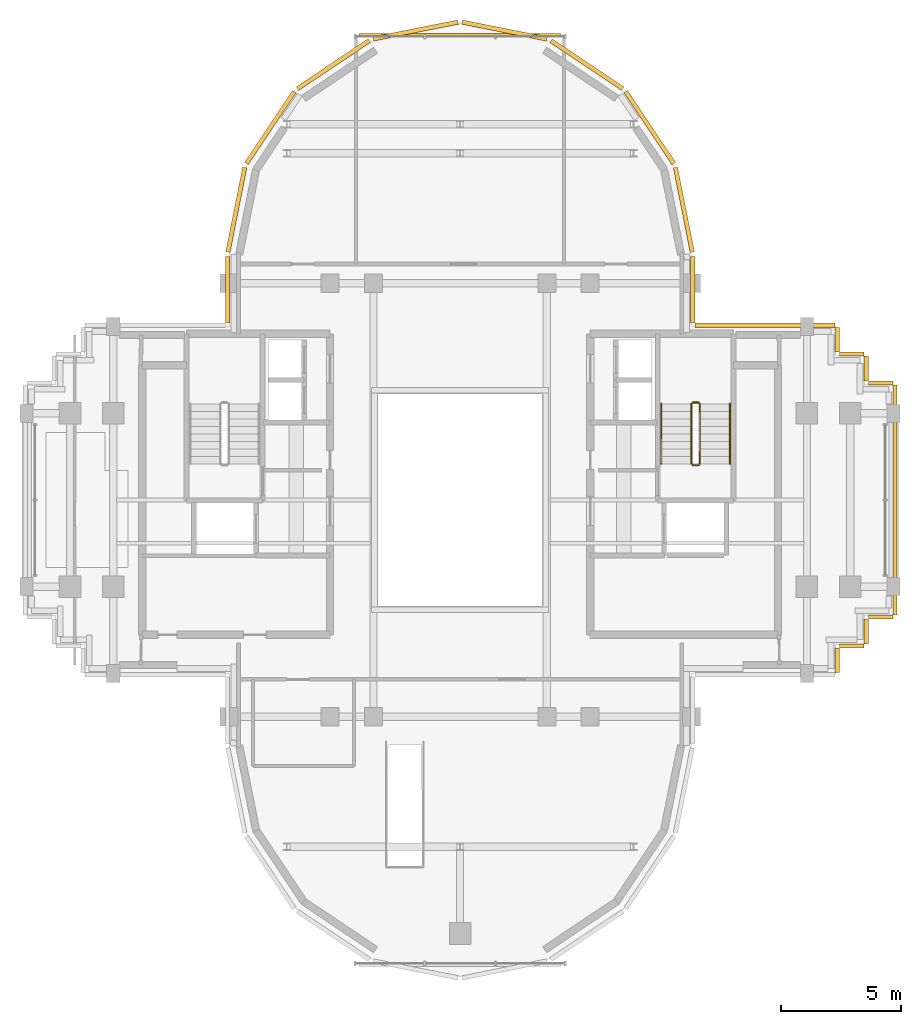
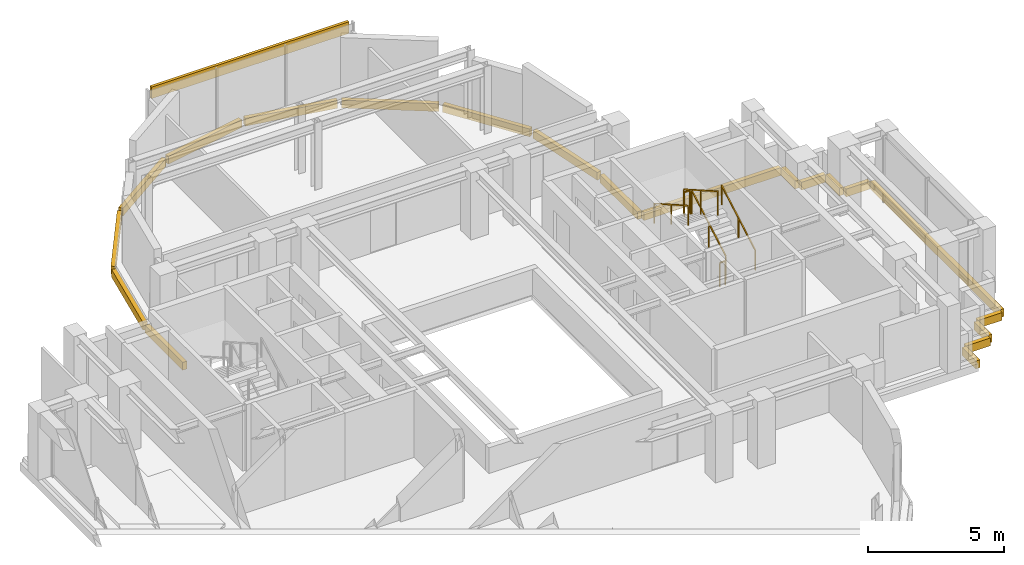
# One storey, part 12 of 12: 21 coverings, 6 railings.
"""IFC4 building model written with IfcOpenShell, lengths in metres."""

from ifc_helpers import new_model, si_unit, direction, frame, origin, origin_2d, place, context, subcontext, project, spatial, rectangle, extrude, source, transform, mapped, material, layer, layer_set, type_object, element, save


model = new_model("IFC4")

# Units and contexts
model_context = context("Model", 3, precision=1e-05, world=origin(), true_north=direction((0.0, 1.0)))
body_context = subcontext(model_context, "Body", "Model", "MODEL_VIEW")
ifc_project = project(units=[si_unit("LENGTHUNIT", "METRE"), si_unit("AREAUNIT", "SQUARE_METRE"), si_unit("VOLUMEUNIT", "CUBIC_METRE"), si_unit("PLANEANGLEUNIT", "RADIAN"), si_unit("MASSUNIT", "GRAM", prefix="KILO")], contexts=[model_context])

# Site, building, storey
site_placement = place(None, origin())
site = spatial("IfcSite", under=ifc_project, at=site_placement, CompositionType="ELEMENT")
building_placement = place(site_placement, origin())
building = spatial("IfcBuilding", under=site, at=building_placement, Name="Keilestroom Media Tower", CompositionType="ELEMENT")
storey_placement = place(building_placement, frame((0.0, 0.0, 242.800048828125)))
storey = spatial("IfcBuildingStorey", under=building, at=storey_placement, Name="L67", CompositionType="ELEMENT", Elevation=242.800048828125)

# Railings
ifc_material_1 = material(Name="Brushed Stainless Steel 1.4301", Category="steel")
railing_type_1 = type_object("IfcRailingType", Name="Stair-Pitch-Handrail-920", PredefinedType="HANDRAIL", material=ifc_material_1)
railing_1_placement = place(storey_placement, frame((11.2099609375, 1.5, 0.177734375)))
element("IfcRailing", 1, at=railing_1_placement, inside=storey, type_object=railing_type_1, Name="L67 ST-2 stair handrail 1", PredefinedType="HANDRAIL", context=body_context, shape_type="SweptSolid", body=[
    extrude(rectangle(XDim=0.048095703125, YDim=0.048095703125, at=origin_2d()), frame((0.0, 0.0, 0.8759765625), z_axis=(0.0, 0.868875238982, 0.495031129408), x_axis=(-1.0, 0.0, 0.0)), (0.0, 0.0, 1.0), 2.872802734375),
    extrude(rectangle(XDim=0.0419921875, YDim=0.0419921875, at=origin_2d()), origin(), (0.0, 0.0, 1.0), 0.84375),
    extrude(rectangle(XDim=0.0419921875, YDim=0.0419921875, at=origin_2d()), frame((0.0, 1.248046875, 0.7109375)), (0.0, 0.0, 1.0), 0.84375),
    extrude(rectangle(XDim=0.0419921875, YDim=0.0419921875, at=origin_2d()), frame((0.0, 2.49609375, 1.422119140625)), (0.0, 0.0, 1.0), 0.84375),
])
railing_2_placement = place(storey_placement, frame((8.35009765625, 3.99609375, 1.77783203125)))
element("IfcRailing", 2, at=railing_2_placement, inside=storey, type_object=railing_type_1, Name="L67 ST-2 stair handrail 2", PredefinedType="HANDRAIL", context=body_context, shape_type="SweptSolid", body=[
    extrude(rectangle(XDim=0.048095703125, YDim=0.048095703125, at=origin_2d()), frame((0.0, 0.0, 0.8759765625), z_axis=(0.0, -0.868875238982, 0.495031129408), x_axis=(1.0, 0.0, 0.0)), (0.0, 0.0, 1.0), 2.872802734375),
    extrude(rectangle(XDim=0.0419921875, YDim=0.0419921875, at=origin_2d()), origin(), (0.0, 0.0, 1.0), 0.84375),
    extrude(rectangle(XDim=0.0419921875, YDim=0.0419921875, at=origin_2d()), frame((0.0, -1.248046875, 0.7109375)), (0.0, 0.0, 1.0), 0.84375),
    extrude(rectangle(XDim=0.0419921875, YDim=0.0419921875, at=origin_2d()), frame((0.0, -2.49609375, 1.422119140625)), (0.0, 0.0, 1.0), 0.84375),
])
ifc_material_2 = material(Name="Painted Steel Balustrade", Category="steel")
railing_type_2 = type_object("IfcRailingType", Name="Stair-Well-And-Landing-Guard-1100", PredefinedType="GUARDRAIL", material=ifc_material_2)
railing_3_placement = place(storey_placement, frame((9.949951171875, 1.5, 0.177734375)))
element("IfcRailing", 3, at=railing_3_placement, inside=storey, type_object=railing_type_2, Name="L67 ST-2 stair guard 1", PredefinedType="GUARDRAIL", context=body_context, shape_type="SweptSolid", body=[
    extrude(rectangle(XDim=0.048095703125, YDim=0.048095703125, at=origin_2d()), frame((0.0, 0.0, 1.076171875), z_axis=(0.0, 0.868875238982, 0.495031129408), x_axis=(-1.0, 0.0, 0.0)), (0.0, 0.0, 1.0), 2.872802734375),
    extrude(rectangle(XDim=0.0419921875, YDim=0.0419921875, at=origin_2d()), origin(), (0.0, 0.0, 1.0), 1.0439453125),
    extrude(rectangle(XDim=0.0419921875, YDim=0.0419921875, at=origin_2d()), frame((0.0, 1.248046875, 0.7109375)), (0.0, 0.0, 1.0), 1.0439453125),
    extrude(rectangle(XDim=0.0419921875, YDim=0.0419921875, at=origin_2d()), frame((0.0, 2.49609375, 1.422119140625)), (0.0, 0.0, 1.0), 1.0439453125),
])
railing_4_placement = place(storey_placement, frame((9.89990234375, 4.0458984375, 1.599853515625)))
element("IfcRailing", 4, at=railing_4_placement, inside=storey, type_object=railing_type_2, Name="L67 ST-2 stair guard 2", PredefinedType="GUARDRAIL", context=body_context, shape_type="SweptSolid", body=[
    extrude(rectangle(XDim=0.048095703125, YDim=0.048095703125, at=origin_2d()), frame((0.0, 0.0, 1.076171875), z_axis=(-1.0, 0.0, 0.0), x_axis=(0.0, -1.0, 0.0)), (0.0, 0.0, 1.0), 0.239990234375),
    extrude(rectangle(XDim=0.0419921875, YDim=0.0419921875, at=origin_2d()), origin(), (0.0, 0.0, 1.0), 1.0439453125),
    extrude(rectangle(XDim=0.0419921875, YDim=0.0419921875, at=origin_2d()), frame((-0.239990234375, 0.0, 0.0)), (0.0, 0.0, 1.0), 1.0439453125),
])
railing_5_placement = place(storey_placement, frame((9.610107421875, 3.99609375, 1.77783203125)))
element("IfcRailing", 5, at=railing_5_placement, inside=storey, type_object=railing_type_2, Name="L67 ST-2 stair guard 3", PredefinedType="GUARDRAIL", context=body_context, shape_type="SweptSolid", body=[
    extrude(rectangle(XDim=0.048095703125, YDim=0.048095703125, at=origin_2d()), frame((0.0, 0.0, 1.076171875), z_axis=(0.0, -0.868875238982, 0.495031129408), x_axis=(1.0, 0.0, 0.0)), (0.0, 0.0, 1.0), 2.872802734375),
    extrude(rectangle(XDim=0.0419921875, YDim=0.0419921875, at=origin_2d()), origin(), (0.0, 0.0, 1.0), 1.0439453125),
    extrude(rectangle(XDim=0.0419921875, YDim=0.0419921875, at=origin_2d()), frame((0.0, -1.248046875, 0.7109375)), (0.0, 0.0, 1.0), 1.0439453125),
    extrude(rectangle(XDim=0.0419921875, YDim=0.0419921875, at=origin_2d()), frame((0.0, -2.49609375, 1.422119140625)), (0.0, 0.0, 1.0), 1.0439453125),
])
railing_6_placement = place(storey_placement, frame((9.89990234375, 1.449951171875, 0.0)))
element("IfcRailing", 6, at=railing_6_placement, inside=storey, type_object=railing_type_2, Name="L67 ST-2 stair guard 4", PredefinedType="GUARDRAIL", context=body_context, shape_type="SweptSolid", body=[
    extrude(rectangle(XDim=0.048095703125, YDim=0.048095703125, at=origin_2d()), frame((0.0, 0.0, 1.076171875), z_axis=(-1.0, 0.0, 0.0), x_axis=(0.0, -1.0, 0.0)), (0.0, 0.0, 1.0), 0.239990234375),
    extrude(rectangle(XDim=0.0419921875, YDim=0.0419921875, at=origin_2d()), origin(), (0.0, 0.0, 1.0), 1.0439453125),
    extrude(rectangle(XDim=0.0419921875, YDim=0.0419921875, at=origin_2d()), frame((-0.239990234375, 0.0, 0.0)), (0.0, 0.0, 1.0), 1.0439453125),
])

# Coverings
ifc_material_3 = material(Name="Precast concrete C40/50", Category="concrete")
ifc_layer = layer(ifc_material_3, 0.1201171875)
ifc_layer_set = layer_set([ifc_layer], Name="Precast concrete C40/50")
covering_type = type_object("IfcCoveringType", Name="Exterior-Precast-Spandrel-Cladding-Panel-120", PredefinedType="CLADDING", material=ifc_layer_set)
shared_shape_1 = source(origin(), body_context, "Body", "SweptSolid", [
    extrude(rectangle(XDim=8.39990234375, YDim=0.1201171875, at=origin_2d()), origin(), (0.0, 0.0, 1.0), 0.52001953125),
])
covering_1_placement = place(storey_placement, frame((0.0, 19.320068359375, 2.5), z_axis=(0.0, 0.0, 1.0), x_axis=(1.0, 0.0, 0.0)))
element("IfcCovering", 7, at=covering_1_placement, inside=storey, type_object=covering_type, Name="L67 Precast Spandrel Cladding N", PredefinedType="CLADDING", context=body_context, shape_type="MappedRepresentation", body=[
    mapped(shared_shape_1, transform((0.0, 0.0, 0.0), x_axis=(1.0, 0.0, 0.0), y_axis=(0.0, 1.0, 0.0), z_axis=(0.0, 0.0, 1.0), scale=1.0)),
])
shared_shape_2 = source(origin(), body_context, "Body", "SweptSolid", [
    extrude(rectangle(XDim=1.02001953125, YDim=0.179931640625, at=origin_2d()), origin(), (0.0, 0.0, 1.0), 0.35009765625),
])
for number, where, z_axis, x_axis, name in (
    (8, (17.4599609375, -4.860107421875, -0.530029296875), (0.0, 0.0, 1.0), (-1.0, 0.0, 0.0), "L67 Precast Slab-Edge Fascia Cornice 01"),
    (9, (16.860107421875, -5.4599609375, -0.530029296875), (0.0, 0.0, 1.0), (0.0, -1.0, 0.0), "L67 Precast Slab-Edge Fascia Cornice 02"),
    (10, (16.260009765625, -6.06005859375, -0.530029296875), (0.0, 0.0, 1.0), (-1.0, 0.0, 0.0), "L67 Precast Slab-Edge Fascia Cornice 03"),
    (11, (15.659912109375, -6.659912109375, -0.530029296875), (0.0, 0.0, 1.0), (0.0, -1.0, 0.0), "L67 Precast Slab-Edge Fascia Cornice 04"),
    (12, (15.659912109375, 6.659912109375, -0.530029296875), (0.0, 0.0, 1.0), (0.0, -1.0, 0.0), "L67 Precast Slab-Edge Fascia Cornice 38"),
    (13, (16.260009765625, 6.06005859375, -0.530029296875), (0.0, 0.0, 1.0), (1.0, 0.0, 0.0), "L67 Precast Slab-Edge Fascia Cornice 39"),
    (14, (16.860107421875, 5.4599609375, -0.530029296875), (0.0, 0.0, 1.0), (0.0, -1.0, 0.0), "L67 Precast Slab-Edge Fascia Cornice 40"),
    (15, (17.4599609375, 4.860107421875, -0.530029296875), (0.0, 0.0, 1.0), (1.0, 0.0, 0.0), "L67 Precast Slab-Edge Fascia Cornice 41"),
):
    element("IfcCovering", number, at=place(storey_placement, frame(where, z_axis=z_axis, x_axis=x_axis)), inside=storey, type_object=covering_type, Name=name, PredefinedType="CLADDING", context=body_context, shape_type="MappedRepresentation", body=[
        mapped(shared_shape_2, transform((0.0, 0.0, 0.0), x_axis=(1.0, 0.0, 0.0), y_axis=(0.0, 1.0, 0.0), z_axis=(0.0, 0.0, 1.0), scale=1.0)),
    ])
shared_shape_3 = source(origin(), body_context, "Body", "SweptSolid", [
    extrude(rectangle(XDim=5.820068359375, YDim=0.179931640625, at=origin_2d()), origin(), (0.0, 0.0, 1.0), 0.35009765625),
])
covering_2_placement = place(storey_placement, frame((12.659912109375, 7.260009765625, -0.530029296875), z_axis=(0.0, 0.0, 1.0), x_axis=(1.0, 0.0, 0.0)))
element("IfcCovering", 16, at=covering_2_placement, inside=storey, type_object=covering_type, Name="L67 Precast Slab-Edge Fascia Cornice 37", PredefinedType="CLADDING", context=body_context, shape_type="MappedRepresentation", body=[
    mapped(shared_shape_3, transform((0.0, 0.0, 0.0), x_axis=(1.0, 0.0, 0.0), y_axis=(0.0, 1.0, 0.0), z_axis=(0.0, 0.0, 1.0), scale=1.0)),
])
shared_shape_4 = source(origin(), body_context, "Body", "SweptSolid", [
    extrude(rectangle(XDim=2.765869140625, YDim=0.179931640625, at=origin_2d()), origin(), (0.0, 0.0, 1.0), 0.35009765625),
])
for number, where, z_axis, x_axis, name in (
    (17, (-9.659912109375, 8.73291015625, -0.530029296875), (0.0, 0.0, 1.0), (0.0, 1.0, 0.0), "L67 Precast Slab-Edge Fascia Cornice 27"),
    (18, (9.659912109375, 8.73291015625, -0.530029296875), (0.0, 0.0, 1.0), (0.0, -1.0, 0.0), "L67 Precast Slab-Edge Fascia Cornice 36"),
):
    element("IfcCovering", number, at=place(storey_placement, frame(where, z_axis=z_axis, x_axis=x_axis)), inside=storey, type_object=covering_type, Name=name, PredefinedType="CLADDING", context=body_context, shape_type="MappedRepresentation", body=[
        mapped(shared_shape_4, transform((0.0, 0.0, 0.0), x_axis=(1.0, 0.0, 0.0), y_axis=(0.0, 1.0, 0.0), z_axis=(0.0, 0.0, 1.0), scale=1.0)),
    ])
shared_shape_5 = source(origin(), body_context, "Body", "SweptSolid", [
    extrude(rectangle(XDim=3.58349609375, YDim=0.179931640625, at=origin_2d()), origin(), (0.0, 0.0, 1.0), 0.35009765625),
])
for number, where, z_axis, x_axis, name in (
    (19, (-9.29296875, 12.051513671875, -0.530029296875), (0.0, 0.0, 1.0), (0.195098880975, 0.980783577882, 0.0), "L67 Precast Slab-Edge Fascia Cornice 28"),
    (20, (9.29296875, 12.051513671875, -0.530029296875), (0.0, 0.0, 1.0), (0.195098880975, -0.980783577882, 0.0), "L67 Precast Slab-Edge Fascia Cornice 35"),
):
    element("IfcCovering", number, at=place(storey_placement, frame(where, z_axis=z_axis, x_axis=x_axis)), inside=storey, type_object=covering_type, Name=name, PredefinedType="CLADDING", context=body_context, shape_type="MappedRepresentation", body=[
        mapped(shared_shape_5, transform((0.0, 0.0, 0.0), x_axis=(1.0, 0.0, 0.0), y_axis=(0.0, 1.0, 0.0), z_axis=(0.0, 0.0, 1.0), scale=1.0)),
    ])
shared_shape_6 = source(origin(), body_context, "Body", "SweptSolid", [
    extrude(rectangle(XDim=3.589599609375, YDim=0.179931640625, at=origin_2d()), origin(), (0.0, 0.0, 1.0), 0.35009765625),
])
for number, where, z_axis, x_axis, name in (
    (21, (-7.878662109375, 15.46435546875, -0.530029296875), (0.0, 0.0, 1.0), (0.555574586577, 0.831466703332, 0.0), "L67 Precast Slab-Edge Fascia Cornice 29"),
    (22, (-5.264404296875, 18.07861328125, -0.530029296875), (0.0, 0.0, 1.0), (0.831466703332, 0.555574586577, 0.0), "L67 Precast Slab-Edge Fascia Cornice 30"),
    (23, (-1.8486328125, 19.493408203125, -0.530029296875), (0.0, 0.0, 1.0), (0.980783577882, 0.195098880975, 0.0), "L67 Precast Slab-Edge Fascia Cornice 31"),
    (24, (1.8486328125, 19.493408203125, -0.530029296875), (0.0, 0.0, 1.0), (0.980783577882, -0.195098880975, 0.0), "L67 Precast Slab-Edge Fascia Cornice 32"),
    (25, (5.264404296875, 18.07861328125, -0.530029296875), (0.0, 0.0, 1.0), (0.831466703332, -0.555574586577, 0.0), "L67 Precast Slab-Edge Fascia Cornice 33"),
    (26, (7.878662109375, 15.46435546875, -0.530029296875), (0.0, 0.0, 1.0), (0.555574586577, -0.831466703332, 0.0), "L67 Precast Slab-Edge Fascia Cornice 34"),
):
    element("IfcCovering", number, at=place(storey_placement, frame(where, z_axis=z_axis, x_axis=x_axis)), inside=storey, type_object=covering_type, Name=name, PredefinedType="CLADDING", context=body_context, shape_type="MappedRepresentation", body=[
        mapped(shared_shape_6, transform((0.0, 0.0, 0.0), x_axis=(1.0, 0.0, 0.0), y_axis=(0.0, 1.0, 0.0), z_axis=(0.0, 0.0, 1.0), scale=1.0)),
    ])
shared_shape_7 = source(origin(), body_context, "Body", "SweptSolid", [
    extrude(rectangle(XDim=9.5400390625, YDim=0.179931640625, at=origin_2d()), origin(), (0.0, 0.0, 1.0), 0.35009765625),
])
covering_3_placement = place(storey_placement, frame((18.06005859375, 0.0, -0.530029296875), z_axis=(0.0, 0.0, 1.0), x_axis=(0.0, -1.0, 0.0)))
element("IfcCovering", 27, at=covering_3_placement, inside=storey, type_object=covering_type, Name="L67 Precast Slab-Edge Fascia Cornice 42", PredefinedType="CLADDING", context=body_context, shape_type="MappedRepresentation", body=[
    mapped(shared_shape_7, transform((0.0, 0.0, 0.0), x_axis=(1.0, 0.0, 0.0), y_axis=(0.0, 1.0, 0.0), z_axis=(0.0, 0.0, 1.0), scale=1.0)),
])

save(model, "model.ifc")
